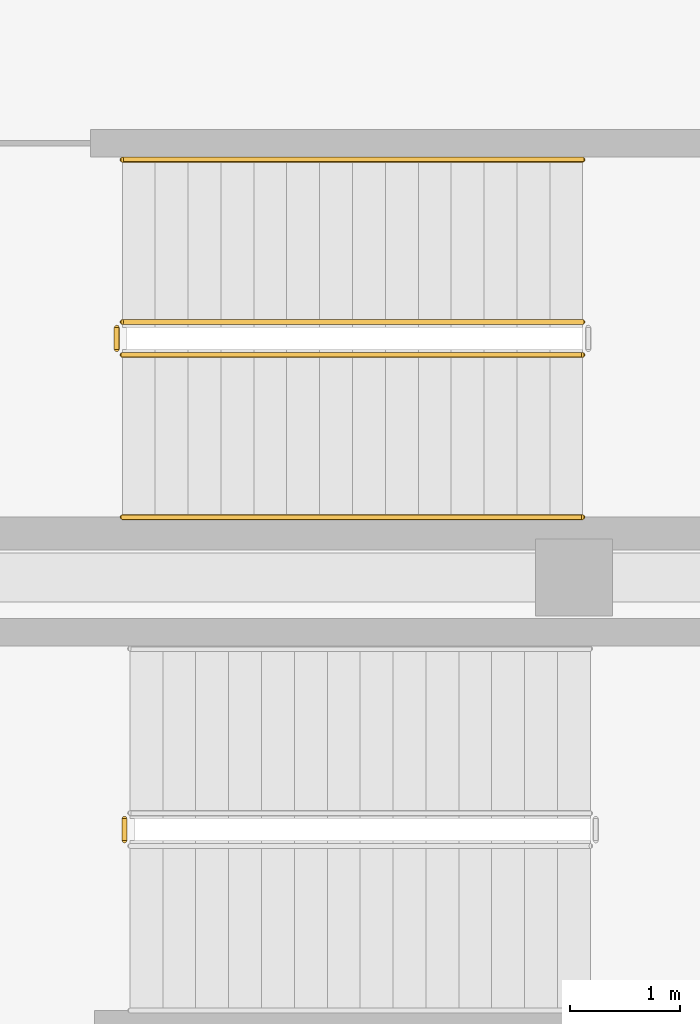
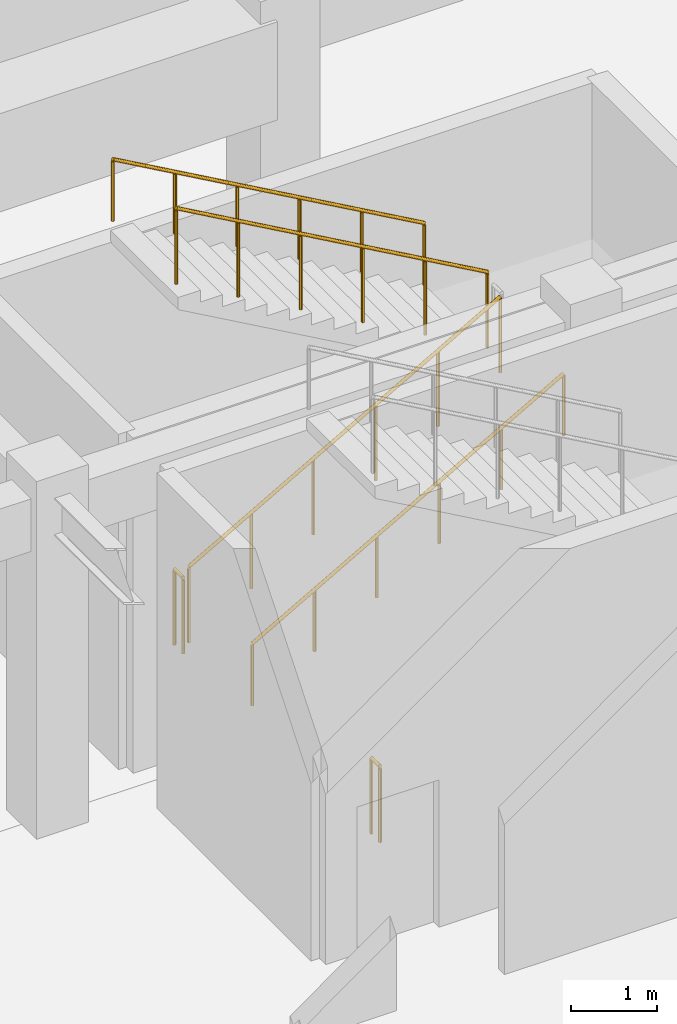
# One storey, part 112 of 117: 6 railings.
"""IFC4 building model written with IfcOpenShell, lengths in metres."""

from ifc_helpers import new_model, si_unit, direction, frame, origin, origin_2d, place, context, subcontext, project, spatial, circle, extrude, material, layer, layer_set, type_object, element, save


model = new_model("IFC4")

# Units and contexts
model_context = context("Model", 3, precision=1e-05, world=origin(), true_north=direction((0.0, 1.0)))
body_context = subcontext(model_context, "Body", "Model", "MODEL_VIEW")
ifc_project = project(units=[si_unit("LENGTHUNIT", "METRE"), si_unit("AREAUNIT", "SQUARE_METRE"), si_unit("VOLUMEUNIT", "CUBIC_METRE"), si_unit("PLANEANGLEUNIT", "RADIAN"), si_unit("MASSUNIT", "GRAM", prefix="KILO")], contexts=[model_context])

# Site, building, storey
site_placement = place(None, origin())
site = spatial("IfcSite", under=ifc_project, at=site_placement, CompositionType="ELEMENT")
building_placement = place(site_placement, origin())
building = spatial("IfcBuilding", under=site, at=building_placement, Name="Carrowvane Square Congress Hotel", CompositionType="ELEMENT")
storey_placement = place(building_placement, frame((0.0, 0.0, 5.39990234375)))
storey = spatial("IfcBuildingStorey", under=building, at=storey_placement, Name="L01", CompositionType="ELEMENT", Elevation=5.39990234375)

# Railings
ifc_material_1 = material(Name="Stainless steel 316", Category="steel")
ifc_layer_1 = layer(ifc_material_1, 0.048095703125)
ifc_layer_set_1 = layer_set([ifc_layer_1], Name="Stainless steel 316")
railing_type_1 = type_object("IfcRailingType", Name="RLG-HR-900", PredefinedType="HANDRAIL", material=ifc_layer_set_1)
railing_1_placement = place(storey_placement, frame((137.080078125, 92.35009765625, 0.170166015625)))
element("IfcRailing", 1, at=railing_1_placement, inside=storey, type_object=railing_type_1, Name="L01 ST12 stair handrail 1", PredefinedType="HANDRAIL", context=body_context, shape_type="SweptSolid", body=[
    extrude(circle(Radius=0.02392578125, at=origin_2d()), frame((0.0, 0.0, 0.8759765625), z_axis=(0.870030139814, 0.0, 0.492998535308), x_axis=(0.0, 1.0, 0.0)), (0.0, 0.0, 1.0), 4.827392578125),
    extrude(circle(Radius=0.02099609375, at=origin_2d()), origin(), (0.0, 0.0, 1.0), 0.851806640625),
    extrude(circle(Radius=0.02099609375, at=origin_2d()), frame((0.840087890625, 0.0, 0.47607421875)), (0.0, 0.0, 1.0), 0.851806640625),
    extrude(circle(Radius=0.02099609375, at=origin_2d()), frame((1.679931640625, 0.0, 0.951904296875)), (0.0, 0.0, 1.0), 0.851806640625),
    extrude(circle(Radius=0.02099609375, at=origin_2d()), frame((2.52001953125, 0.0, 1.427978515625)), (0.0, 0.0, 1.0), 0.851806640625),
    extrude(circle(Radius=0.02099609375, at=origin_2d()), frame((3.35986328125, 0.0, 1.90380859375)), (0.0, 0.0, 1.0), 0.851806640625),
    extrude(circle(Radius=0.02099609375, at=origin_2d()), frame((4.199951171875, 0.0, 2.3798828125)), (0.0, 0.0, 1.0), 0.851806640625),
])
railing_2_placement = place(storey_placement, frame((141.280029296875, 95.610107421875, 2.72021484375)))
element("IfcRailing", 2, at=railing_2_placement, inside=storey, type_object=railing_type_1, Name="L01 ST12 stair handrail 2", PredefinedType="HANDRAIL", context=body_context, shape_type="SweptSolid", body=[
    extrude(circle(Radius=0.02392578125, at=origin_2d()), frame((0.0, 0.0, 0.8759765625), z_axis=(-0.870030139814, 0.0, 0.492998535308), x_axis=(0.0, -1.0, 0.0)), (0.0, 0.0, 1.0), 4.827392578125),
    extrude(circle(Radius=0.02099609375, at=origin_2d()), origin(), (0.0, 0.0, 1.0), 0.851806640625),
    extrude(circle(Radius=0.02099609375, at=origin_2d()), frame((-0.840087890625, 0.0, 0.47607421875)), (0.0, 0.0, 1.0), 0.851806640625),
    extrude(circle(Radius=0.02099609375, at=origin_2d()), frame((-1.679931640625, 0.0, 0.951904296875)), (0.0, 0.0, 1.0), 0.851806640625),
    extrude(circle(Radius=0.02099609375, at=origin_2d()), frame((-2.52001953125, 0.0, 1.427978515625)), (0.0, 0.0, 1.0), 0.851806640625),
    extrude(circle(Radius=0.02099609375, at=origin_2d()), frame((-3.35986328125, 0.0, 1.90380859375)), (0.0, 0.0, 1.0), 0.851806640625),
    extrude(circle(Radius=0.02099609375, at=origin_2d()), frame((-4.199951171875, 0.0, 2.3798828125)), (0.0, 0.0, 1.0), 0.851806640625),
])
ifc_material_2 = material(Name="Galvanised steel", Category="steel")
ifc_layer_2 = layer(ifc_material_2, 0.048095703125)
ifc_layer_set_2 = layer_set([ifc_layer_2], Name="Galvanised steel")
railing_type_2 = type_object("IfcRailingType", Name="RLG-STG-1100", PredefinedType="GUARDRAIL", material=ifc_layer_set_2)
railing_3_placement = place(storey_placement, frame((137.10009765625, 89.39990234375, 0.0)))
element("IfcRailing", 3, at=railing_3_placement, inside=storey, type_object=railing_type_2, Name="L01 ST8 stair guard 4", PredefinedType="GUARDRAIL", context=body_context, shape_type="SweptSolid", body=[
    extrude(circle(Radius=0.02392578125, at=origin_2d()), frame((0.0, 0.0, 1.076171875), z_axis=(0.0, 1.0, 0.0), x_axis=(-1.0, 0.0, 0.0)), (0.0, 0.0, 1.0), 0.2001953125),
    extrude(circle(Radius=0.02099609375, at=origin_2d()), origin(), (0.0, 0.0, 1.0), 1.052001953125),
    extrude(circle(Radius=0.02099609375, at=origin_2d()), frame((0.0, 0.2001953125, 0.0)), (0.0, 0.0, 1.0), 1.052001953125),
])
railing_4_placement = place(storey_placement, frame((137.080078125, 93.830078125, 0.170166015625)))
element("IfcRailing", 4, at=railing_4_placement, inside=storey, type_object=railing_type_2, Name="L01 ST12 stair guard 1", PredefinedType="GUARDRAIL", context=body_context, shape_type="SweptSolid", body=[
    extrude(circle(Radius=0.02392578125, at=origin_2d()), frame((0.0, 0.0, 1.076171875), z_axis=(0.870030139814, 0.0, 0.492998535308), x_axis=(0.0, 1.0, 0.0)), (0.0, 0.0, 1.0), 4.827392578125),
    extrude(circle(Radius=0.02099609375, at=origin_2d()), origin(), (0.0, 0.0, 1.0), 1.052001953125),
    extrude(circle(Radius=0.02099609375, at=origin_2d()), frame((0.840087890625, 0.0, 0.47607421875)), (0.0, 0.0, 1.0), 1.052001953125),
    extrude(circle(Radius=0.02099609375, at=origin_2d()), frame((1.679931640625, 0.0, 0.951904296875)), (0.0, 0.0, 1.0), 1.052001953125),
    extrude(circle(Radius=0.02099609375, at=origin_2d()), frame((2.52001953125, 0.0, 1.427978515625)), (0.0, 0.0, 1.0), 1.052001953125),
    extrude(circle(Radius=0.02099609375, at=origin_2d()), frame((3.35986328125, 0.0, 1.90380859375)), (0.0, 0.0, 1.0), 1.052001953125),
    extrude(circle(Radius=0.02099609375, at=origin_2d()), frame((4.199951171875, 0.0, 2.3798828125)), (0.0, 0.0, 1.0), 1.052001953125),
])
railing_5_placement = place(storey_placement, frame((141.280029296875, 94.1298828125, 2.72021484375)))
element("IfcRailing", 5, at=railing_5_placement, inside=storey, type_object=railing_type_2, Name="L01 ST12 stair guard 3", PredefinedType="GUARDRAIL", context=body_context, shape_type="SweptSolid", body=[
    extrude(circle(Radius=0.02392578125, at=origin_2d()), frame((0.0, 0.0, 1.076171875), z_axis=(-0.870030139814, 0.0, 0.492998535308), x_axis=(0.0, -1.0, 0.0)), (0.0, 0.0, 1.0), 4.827392578125),
    extrude(circle(Radius=0.02099609375, at=origin_2d()), origin(), (0.0, 0.0, 1.0), 1.052001953125),
    extrude(circle(Radius=0.02099609375, at=origin_2d()), frame((-0.840087890625, 0.0, 0.47607421875)), (0.0, 0.0, 1.0), 1.052001953125),
    extrude(circle(Radius=0.02099609375, at=origin_2d()), frame((-1.679931640625, 0.0, 0.951904296875)), (0.0, 0.0, 1.0), 1.052001953125),
    extrude(circle(Radius=0.02099609375, at=origin_2d()), frame((-2.52001953125, 0.0, 1.427978515625)), (0.0, 0.0, 1.0), 1.052001953125),
    extrude(circle(Radius=0.02099609375, at=origin_2d()), frame((-3.35986328125, 0.0, 1.90380859375)), (0.0, 0.0, 1.0), 1.052001953125),
    extrude(circle(Radius=0.02099609375, at=origin_2d()), frame((-4.199951171875, 0.0, 2.3798828125)), (0.0, 0.0, 1.0), 1.052001953125),
])
railing_6_placement = place(storey_placement, frame((137.030029296875, 93.8798828125, 0.0)))
element("IfcRailing", 6, at=railing_6_placement, inside=storey, type_object=railing_type_2, Name="L01 ST12 stair guard 4", PredefinedType="GUARDRAIL", context=body_context, shape_type="SweptSolid", body=[
    extrude(circle(Radius=0.02392578125, at=origin_2d()), frame((0.0, 0.0, 1.076171875), z_axis=(0.0, 1.0, 0.0), x_axis=(-1.0, 0.0, 0.0)), (0.0, 0.0, 1.0), 0.2001953125),
    extrude(circle(Radius=0.02099609375, at=origin_2d()), origin(), (0.0, 0.0, 1.0), 1.052001953125),
    extrude(circle(Radius=0.02099609375, at=origin_2d()), frame((0.0, 0.2001953125, 0.0)), (0.0, 0.0, 1.0), 1.052001953125),
])

save(model, "model.ifc")
